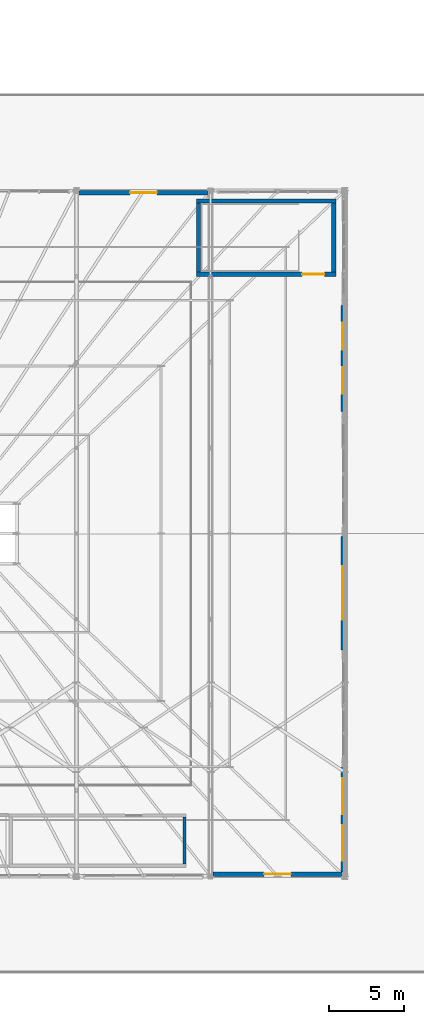
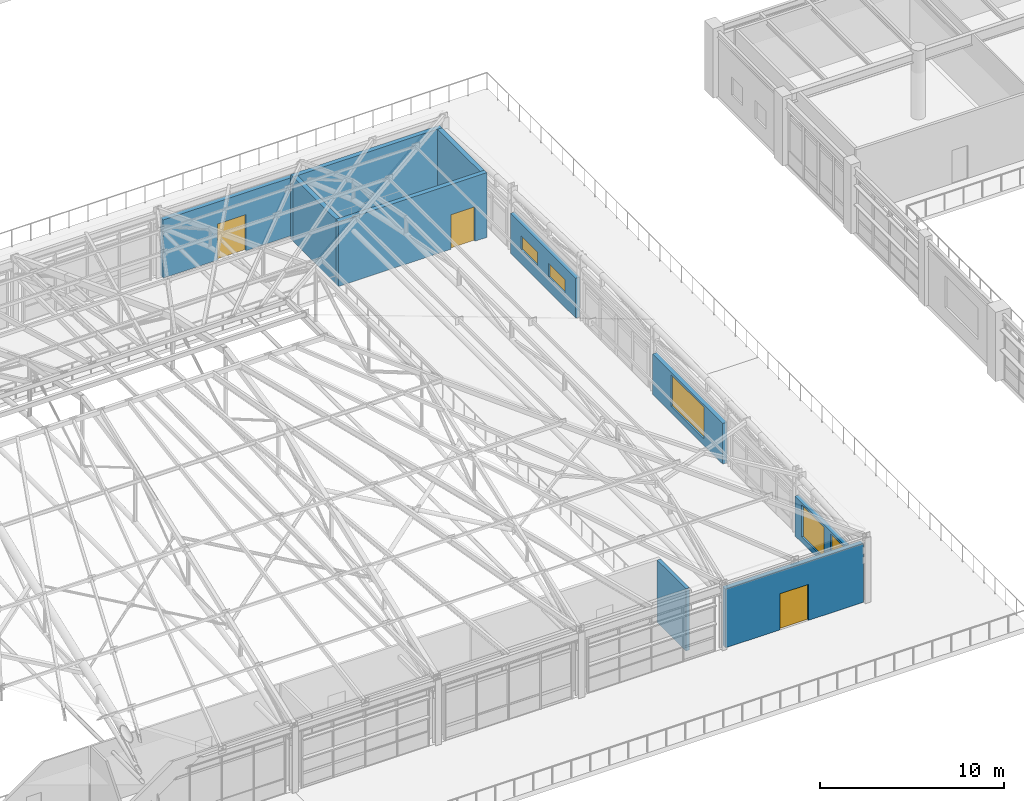
# One storey, part 151 of 168: 10 walls, 5 windows, 3 doors, 8 openings.
"""IFC4 building model written with IfcOpenShell, lengths in metres."""

from ifc_helpers import new_model, si_unit, direction, frame, frame_2d, origin, place, context, subcontext, project, spatial, rectangle, extrude, material, layer, layer_set, type_object, element, fill, save


model = new_model("IFC4")

# Units and contexts
model_context = context("Model", 3, precision=1e-05, world=origin(), true_north=direction((0.0, 1.0)))
body_context = subcontext(model_context, "Body", "Model", "MODEL_VIEW")
ifc_project = project(units=[si_unit("LENGTHUNIT", "METRE"), si_unit("AREAUNIT", "SQUARE_METRE"), si_unit("VOLUMEUNIT", "CUBIC_METRE"), si_unit("PLANEANGLEUNIT", "RADIAN"), si_unit("MASSUNIT", "GRAM", prefix="KILO"), si_unit("THERMODYNAMICTEMPERATUREUNIT", "KELVIN"), si_unit("POWERUNIT", "WATT")], contexts=[model_context])

# Site, building, storey
site_placement = place(None, origin())
site = spatial("IfcSite", under=ifc_project, at=site_placement, CompositionType="ELEMENT")
building_placement = place(site_placement, origin())
building = spatial("IfcBuilding", under=site, at=building_placement, Name="Tepalcoro Natatorium and Aquatics Centre", CompositionType="ELEMENT")
storey_placement = place(building_placement, frame((0.0, 0.0, 10.199951171875)))
storey = spatial("IfcBuildingStorey", under=building, at=storey_placement, Name="L02", CompositionType="ELEMENT", Elevation=10.199951171875)

# Wall, openings, windows
ifc_material_1 = material(Name="Precast Concrete C45/55 (fc 45 MPa)", Category="concrete")
ifc_layer_1 = layer(ifc_material_1, 0.260009765625)
ifc_layer_set_1 = layer_set([ifc_layer_1], Name="Precast Concrete C45/55 (fc 45 MPa)")
wall_type_1 = type_object("IfcWallType", Name="WL_EXT_GABLE_260", PredefinedType="SOLIDWALL", material=ifc_layer_set_1)
wall_1_placement = place(storey_placement, frame((124.8701171875, 13.30908203125, 0.0), z_axis=(0.0, 0.0, 1.0), x_axis=(0.0, 1.0, 0.0)))
wall_1 = element("IfcWall", 1, at=wall_1_placement, inside=storey, type_object=wall_type_1, Name="V1 L02 E Volcanic Basalt Envelope Wall", PredefinedType="SOLIDWALL", context=body_context, shape_type="SweptSolid", body=[
    extrude(rectangle(XDim=7.00048828125, YDim=0.260009765625, at=frame_2d((3.500244140625, 0.0))), origin(), (0.0, 0.0, 1.0), 2.654052734375),
])
opening_1_placement = place(wall_1_placement, frame((0.7333984375, 0.0, 0.39404296875)))
opening_1 = element("IfcOpeningElement", 2, at=opening_1_placement, cuts=wall_1, Name="Opening W0018A", PredefinedType="OPENING", context=body_context, shape_type="SweptSolid", body=[
    extrude(rectangle(XDim=2.39990234375, YDim=2.10009765625, at=frame_2d((1.199951171875, 1.050048828125))), frame((0.0, 0.14208984375, 0.0), z_axis=(0.0, -1.0, 0.0), x_axis=(1.0, 0.0, 0.0)), (0.0, 0.0, 1.0), 0.283935546875),
])
opening_2_placement = place(wall_1_placement, frame((3.866943359375, 0.0, 0.39404296875)))
opening_2 = element("IfcOpeningElement", 3, at=opening_2_placement, cuts=wall_1, Name="Opening W0018B", PredefinedType="OPENING", context=body_context, shape_type="SweptSolid", body=[
    extrude(rectangle(XDim=2.39990234375, YDim=2.10009765625, at=frame_2d((1.199951171875, 1.050048828125))), frame((0.0, 0.14208984375, 0.0), z_axis=(0.0, -1.0, 0.0), x_axis=(1.0, 0.0, 0.0)), (0.0, 0.0, 1.0), 0.283935546875),
])
ifc_material_2 = material(Name="Solar-Control Bronze Tempered Low-E Double Glazing", Category="glass")
window_type_1 = type_object("IfcWindowType", Name="WN_240x210", PartitioningType="SINGLE_PANEL", PredefinedType="WINDOW", material=ifc_material_2)
window_1_placement = place(opening_1_placement, origin())
window_1 = element("IfcWindow", 4, at=window_1_placement, inside=storey, type_object=window_type_1, Name="Exterior Thermal Window WN_240x210", OverallHeight=2.10009765625, OverallWidth=2.39990234375, PartitioningType="SINGLE_PANEL", PredefinedType="WINDOW", context=body_context, shape_type="SweptSolid", body=[
    extrude(rectangle(XDim=2.39990234375, YDim=2.10009765625, at=frame_2d((1.199951171875, 1.050048828125))), frame((0.0, 0.030029296875, 0.0), z_axis=(0.0, -1.0, 0.0), x_axis=(1.0, 0.0, 0.0)), (0.0, 0.0, 1.0), 0.06005859375),
])
fill(opening_1, window_1)
window_2_placement = place(opening_2_placement, origin())
window_2 = element("IfcWindow", 5, at=window_2_placement, inside=storey, type_object=window_type_1, Name="Exterior Thermal Window WN_240x210", OverallHeight=2.10009765625, OverallWidth=2.39990234375, PartitioningType="SINGLE_PANEL", PredefinedType="WINDOW", context=body_context, shape_type="SweptSolid", body=[
    extrude(rectangle(XDim=2.39990234375, YDim=2.10009765625, at=frame_2d((1.199951171875, 1.050048828125))), frame((0.0, 0.030029296875, 0.0), z_axis=(0.0, -1.0, 0.0), x_axis=(1.0, 0.0, 0.0)), (0.0, 0.0, 1.0), 0.06005859375),
])
fill(opening_2, window_2)

# Wall, opening, window
wall_2_placement = place(storey_placement, frame((124.8701171875, 28.181884765625, 0.0), z_axis=(0.0, 0.0, 1.0), x_axis=(0.0, 1.0, 0.0)))
wall_2 = element("IfcWall", 6, at=wall_2_placement, inside=storey, type_object=wall_type_1, Name="V1 L02 E Volcanic Basalt Envelope Wall", PredefinedType="SOLIDWALL", context=body_context, shape_type="SweptSolid", body=[
    extrude(rectangle(XDim=7.63623046875, YDim=0.260009765625, at=frame_2d((3.818115234375, 0.0))), origin(), (0.0, 0.0, 1.0), 2.699951171875),
])
opening_3_placement = place(wall_2_placement, frame((2.01806640625, 0.0, 0.43994140625)))
opening_3 = element("IfcOpeningElement", 7, at=opening_3_placement, cuts=wall_2, Name="Opening W0019", PredefinedType="OPENING", context=body_context, shape_type="SweptSolid", body=[
    extrude(rectangle(XDim=3.60009765625, YDim=2.10009765625, at=frame_2d((1.800048828125, 1.050048828125))), frame((0.0, 0.14208984375, 0.0), z_axis=(0.0, -1.0, 0.0), x_axis=(1.0, 0.0, 0.0)), (0.0, 0.0, 1.0), 0.283935546875),
])
window_type_2 = type_object("IfcWindowType", Name="WN_360x210", PartitioningType="SINGLE_PANEL", PredefinedType="WINDOW", material=ifc_material_2)
window_3_placement = place(opening_3_placement, origin())
window_3 = element("IfcWindow", 8, at=window_3_placement, inside=storey, type_object=window_type_2, Name="Exterior Thermal Window WN_360x210", OverallHeight=2.10009765625, OverallWidth=3.60009765625, PartitioningType="SINGLE_PANEL", PredefinedType="WINDOW", context=body_context, shape_type="SweptSolid", body=[
    extrude(rectangle(XDim=3.60009765625, YDim=2.10009765625, at=frame_2d((1.800048828125, 1.050048828125))), frame((0.0, 0.030029296875, 0.0), z_axis=(0.0, -1.0, 0.0), x_axis=(1.0, 0.0, 0.0)), (0.0, 0.0, 1.0), 0.06005859375),
])
fill(opening_3, window_3)

# Wall, openings, windows
wall_3_placement = place(storey_placement, frame((124.8701171875, 44.18798828125, 0.0), z_axis=(0.0, 0.0, 1.0), x_axis=(0.0, 1.0, 0.0)))
wall_3 = element("IfcWall", 9, at=wall_3_placement, inside=storey, type_object=wall_type_1, Name="V1 L02 E Volcanic Basalt Envelope Wall", PredefinedType="SOLIDWALL", context=body_context, shape_type="SweptSolid", body=[
    extrude(rectangle(XDim=7.1201171875, YDim=0.260009765625, at=frame_2d((3.56005859375, 0.0))), origin(), (0.0, 0.0, 1.0), 2.654052734375),
])
opening_4_placement = place(wall_3_placement, frame((1.17333984375, 0.0, 0.949951171875)))
opening_4 = element("IfcOpeningElement", 10, at=opening_4_placement, cuts=wall_3, Name="Opening W0020A", PredefinedType="OPENING", context=body_context, shape_type="SweptSolid", body=[
    extrude(rectangle(XDim=1.800048828125, YDim=0.89990234375, at=frame_2d((0.89990234375, 0.449951171875))), frame((0.0, 0.14208984375, 0.0), z_axis=(0.0, -1.0, 0.0), x_axis=(1.0, 0.0, 0.0)), (0.0, 0.0, 1.0), 0.283935546875),
])
opening_5_placement = place(wall_3_placement, frame((4.146728515625, 0.0, 0.949951171875)))
opening_5 = element("IfcOpeningElement", 11, at=opening_5_placement, cuts=wall_3, Name="Opening W0020B", PredefinedType="OPENING", context=body_context, shape_type="SweptSolid", body=[
    extrude(rectangle(XDim=1.800048828125, YDim=0.89990234375, at=frame_2d((0.89990234375, 0.449951171875))), frame((0.0, 0.14208984375, 0.0), z_axis=(0.0, -1.0, 0.0), x_axis=(1.0, 0.0, 0.0)), (0.0, 0.0, 1.0), 0.283935546875),
])
window_type_3 = type_object("IfcWindowType", Name="WN_180x090_CLER", PartitioningType="SINGLE_PANEL", PredefinedType="WINDOW", material=ifc_material_2)
window_4_placement = place(opening_4_placement, origin())
window_4 = element("IfcWindow", 12, at=window_4_placement, inside=storey, type_object=window_type_3, Name="Exterior Thermal Window WN_180x090_CLER", OverallHeight=0.89990234375, OverallWidth=1.800048828125, PartitioningType="SINGLE_PANEL", PredefinedType="WINDOW", context=body_context, shape_type="SweptSolid", body=[
    extrude(rectangle(XDim=1.800048828125, YDim=0.89990234375, at=frame_2d((0.89990234375, 0.449951171875))), frame((0.0, 0.030029296875, 0.0), z_axis=(0.0, -1.0, 0.0), x_axis=(1.0, 0.0, 0.0)), (0.0, 0.0, 1.0), 0.06005859375),
])
fill(opening_4, window_4)
window_5_placement = place(opening_5_placement, origin())
window_5 = element("IfcWindow", 13, at=window_5_placement, inside=storey, type_object=window_type_3, Name="Exterior Thermal Window WN_180x090_CLER", OverallHeight=0.89990234375, OverallWidth=1.800048828125, PartitioningType="SINGLE_PANEL", PredefinedType="WINDOW", context=body_context, shape_type="SweptSolid", body=[
    extrude(rectangle(XDim=1.800048828125, YDim=0.89990234375, at=frame_2d((0.89990234375, 0.449951171875))), frame((0.0, 0.030029296875, 0.0), z_axis=(0.0, -1.0, 0.0), x_axis=(1.0, 0.0, 0.0)), (0.0, 0.0, 1.0), 0.06005859375),
])
fill(opening_5, window_5)

# Wall, opening, door
ifc_layer_2 = layer(ifc_material_1, 0.284912109375)
ifc_layer_set_2 = layer_set([ifc_layer_2], Name="Precast Concrete C45/55 (fc 45 MPa)")
wall_type_2 = type_object("IfcWallType", Name="WL_EXT_INSUL_280", PredefinedType="SOLIDWALL", material=ifc_layer_set_2)
wall_4_placement = place(storey_placement, frame((107.189453125, 58.857421875, 0.0), z_axis=(0.0, 0.0, 1.0), x_axis=(1.0, 0.0, 0.0)))
wall_4 = element("IfcWall", 14, at=wall_4_placement, inside=storey, type_object=wall_type_2, Name="V1 L02 N Volcanic Basalt Envelope Wall", PredefinedType="SOLIDWALL", context=body_context, shape_type="SweptSolid", body=[
    extrude(rectangle(XDim=8.62255859375, YDim=0.284912109375, at=frame_2d((4.311279296875, 0.0))), origin(), (0.0, 0.0, 1.0), 3.860107421875),
])
opening_6_placement = place(wall_4_placement, frame((3.411376953125, 0.0, 0.0)))
opening_6 = element("IfcOpeningElement", 15, at=opening_6_placement, cuts=wall_4, Name="Opening ED5020", PredefinedType="OPENING", context=body_context, shape_type="SweptSolid", body=[
    extrude(rectangle(XDim=1.800048828125, YDim=2.39990234375, at=frame_2d((0.89990234375, 1.199951171875))), frame((0.0, 0.154296875, 0.0), z_axis=(0.0, -1.0, 0.0), x_axis=(1.0, 0.0, 0.0)), (0.0, 0.0, 1.0), 0.308837890625),
])
ifc_material_3 = material(Name="Bronze-Anodised Extruded Aluminium Alloy EN AW-6063 T6", Category="aluminium")
door_type_1 = type_object("IfcDoorType", Name="DR_180x240_TERR", OperationType="NOTDEFINED", PredefinedType="DOOR", material=ifc_material_3)
door_1_placement = place(opening_6_placement, origin())
door_1 = element("IfcDoor", 16, at=door_1_placement, inside=storey, type_object=door_type_1, Name="L02 North Upper Terrace Door E", OperationType="DOUBLE_DOOR_SINGLE_SWING", OverallHeight=2.39990234375, OverallWidth=1.800048828125, PredefinedType="DOOR", context=body_context, shape_type="SweptSolid", body=[
    extrude(rectangle(XDim=1.800048828125, YDim=2.39990234375, at=frame_2d((0.89990234375, 1.199951171875))), frame((0.0, 0.02490234375, 0.0), z_axis=(0.0, -1.0, 0.0), x_axis=(1.0, 0.0, 0.0)), (0.0, 0.0, 1.0), 0.050048828125),
])
fill(opening_6, door_1)

ifc_material_4 = material(Name="Jalisco Cantera Rosa Volcanic Tuff Ashlar Masonry", Category="masonry")
ifc_layer_3 = layer(ifc_material_4, 0.304931640625)
ifc_layer_set_3 = layer_set([ifc_layer_3], Name="Jalisco Cantera Rosa Volcanic Tuff Ashlar Masonry")
wall_type_3 = type_object("IfcWallType", Name="WL_EXT_TERRACOTTA_300", PredefinedType="SOLIDWALL", material=ifc_layer_set_3)
wall_5_placement = place(storey_placement, frame((116.157470703125, 13.152587890625, 0.0), z_axis=(0.0, 0.0, 1.0), x_axis=(1.0, 0.0, 0.0)))
wall_5 = element("IfcWall", 17, at=wall_5_placement, inside=storey, type_object=wall_type_3, Name="V1 L02 S Volcanic Basalt Envelope Wall", PredefinedType="SOLIDWALL", context=body_context, shape_type="SweptSolid", body=[
    extrude(rectangle(XDim=8.653076171875, YDim=0.304931640625, at=frame_2d((4.32666015625, 0.0))), origin(), (0.0, 0.0, 1.0), 3.906982421875),
])
opening_7_placement = place(wall_5_placement, frame((3.426513671875, 0.0, 0.0)))
opening_7 = element("IfcOpeningElement", 18, at=opening_7_placement, cuts=wall_5, Name="Opening ED5018", PredefinedType="OPENING", context=body_context, shape_type="SweptSolid", body=[
    extrude(rectangle(XDim=1.800048828125, YDim=2.39990234375, at=frame_2d((0.89990234375, 1.199951171875))), frame((0.0, 0.16455078125, 0.0), z_axis=(0.0, -1.0, 0.0), x_axis=(1.0, 0.0, 0.0)), (0.0, 0.0, 1.0), 0.328857421875),
])
door_2_placement = place(opening_7_placement, frame((1.800048828125, 0.0, 0.0), z_axis=(0.0, 0.0, 1.0), x_axis=(-1.0, 0.0, 0.0)))
door_2 = element("IfcDoor", 19, at=door_2_placement, inside=storey, type_object=door_type_1, Name="L02 South Upper Terrace Door E", OperationType="DOUBLE_DOOR_SINGLE_SWING", OverallHeight=2.39990234375, OverallWidth=1.800048828125, PredefinedType="DOOR", context=body_context, shape_type="SweptSolid", body=[
    extrude(rectangle(XDim=1.800048828125, YDim=2.39990234375, at=frame_2d((0.89990234375, 1.199951171875))), frame((0.0, 0.02490234375, 0.0), z_axis=(0.0, -1.0, 0.0), x_axis=(1.0, 0.0, 0.0)), (0.0, 0.0, 1.0), 0.050048828125),
])
fill(opening_7, door_2)

# Wall
ifc_material_5 = material(Name="Ceramic-Tiled Moisture-Resistant Masonry Blockwork", Category="masonry")
ifc_layer_4 = layer(ifc_material_5, 0.219970703125)
ifc_layer_set_4 = layer_set([ifc_layer_4], Name="Ceramic-Tiled Moisture-Resistant Masonry Blockwork")
wall_type_4 = type_object("IfcWallType", Name="WL_PLUMB_220", PredefinedType="PLUMBINGWALL", material=ifc_layer_set_4)
wall_6_placement = place(storey_placement, frame((114.25, 13.820068359375, 0.0), z_axis=(0.0, 0.0, 1.0), x_axis=(0.0, 1.0, 0.0)))
element("IfcWall", 20, at=wall_6_placement, inside=storey, type_object=wall_type_4, Name="L02 Catwalk Broadcast Staff & Accessible WC Partition E", PredefinedType="PLUMBINGWALL", context=body_context, shape_type="SweptSolid", body=[
    extrude(rectangle(XDim=3.159912109375, YDim=0.219970703125, at=frame_2d((1.580078125, 0.0))), origin(), (0.0, 0.0, 1.0), 4.135009765625),
])

# Wall, opening, door
ifc_material_6 = material(Name="Concrete C40/50 (fc 40 MPa)", Category="concrete")
ifc_layer_5 = layer(ifc_material_6, 0.280029296875)
ifc_layer_set_5 = layer_set([ifc_layer_5], Name="Concrete C40/50 (fc 40 MPa)")
wall_type_5 = type_object("IfcWallType", Name="WL_SHEAR_280", PredefinedType="SHEAR", material=ifc_layer_set_5)
wall_7_placement = place(storey_placement, frame((115.050048828125, 53.389892578125, 0.0), z_axis=(0.0, 0.0, 1.0), x_axis=(1.0, 0.0, 0.0)))
wall_7 = element("IfcWall", 21, at=wall_7_placement, inside=storey, type_object=wall_type_5, Name="ST02 Core Shear Wall S L02", PredefinedType="SHEAR", context=body_context, shape_type="SweptSolid", body=[
    extrude(rectangle(XDim=9.349853515625, YDim=0.280029296875, at=frame_2d((4.6748046875, 0.0))), origin(), (0.0, 0.0, 1.0), 4.300048828125),
])
opening_8_placement = place(wall_7_placement, frame((7.090087890625, 0.0, 0.0)))
opening_8 = element("IfcOpeningElement", 22, at=opening_8_placement, cuts=wall_7, Name="Opening D0010", PredefinedType="OPENING", context=body_context, shape_type="SweptSolid", body=[
    extrude(rectangle(XDim=1.5, YDim=2.300048828125, at=frame_2d((0.75, 1.14990234375))), frame((0.0, 0.15185546875, 0.0), z_axis=(0.0, -1.0, 0.0), x_axis=(1.0, 0.0, 0.0)), (0.0, 0.0, 1.0), 0.303955078125),
])
ifc_material_7 = material(Name="Galvanised Steel Insulated Acoustic Fire Door Assembly", Category="steel")
door_type_2 = type_object("IfcDoorType", Name="DR_150x230_FD60", OperationType="NOTDEFINED", PredefinedType="DOOR", material=ifc_material_7)
door_3_placement = place(opening_8_placement, origin())
door_3 = element("IfcDoor", 23, at=door_3_placement, inside=storey, type_object=door_type_2, Name="ST02 Fire Stair Door (L02)", OperationType="DOUBLE_DOOR_SINGLE_SWING", OverallHeight=2.300048828125, OverallWidth=1.5, PredefinedType="DOOR", context=body_context, shape_type="SweptSolid", body=[
    extrude(rectangle(XDim=1.5, YDim=2.300048828125, at=frame_2d((0.75, 1.14990234375))), frame((0.0, 0.02490234375, 0.0), z_axis=(0.0, -1.0, 0.0), x_axis=(1.0, 0.0, 0.0)), (0.0, 0.0, 1.0), 0.050048828125),
])
fill(opening_8, door_3)

# Walls
wall_8_placement = place(storey_placement, frame((115.050048828125, 58.31005859375, 0.0), z_axis=(0.0, 0.0, 1.0), x_axis=(1.0, 0.0, 0.0)))
element("IfcWall", 24, at=wall_8_placement, inside=storey, type_object=wall_type_5, Name="ST02 Core Shear Wall N L02", PredefinedType="SHEAR", context=body_context, shape_type="SweptSolid", body=[
    extrude(rectangle(XDim=9.349853515625, YDim=0.280029296875, at=frame_2d((4.6748046875, 0.0))), origin(), (0.0, 0.0, 1.0), 4.300048828125),
])
for number, where, z_axis, x_axis, name in (
    (25, (115.18994140625, 53.530029296875, 0.0), (0.0, 0.0, 1.0), (0.0, 1.0, 0.0), "ST02 Core Shear Wall W L02"),
    (26, (124.260009765625, 53.530029296875, 0.0), (0.0, 0.0, 1.0), (0.0, 1.0, 0.0), "ST02 Core Shear Wall E L02"),
):
    element("IfcWall", number, at=place(storey_placement, frame(where, z_axis=z_axis, x_axis=x_axis)), inside=storey, type_object=wall_type_5, Name=name, PredefinedType="SHEAR", context=body_context, shape_type="SweptSolid", body=[
        extrude(rectangle(XDim=4.639892578125, YDim=0.280029296875, at=frame_2d((2.31982421875, 0.0))), origin(), (0.0, 0.0, 1.0), 4.300048828125),
    ])

save(model, "model.ifc")
